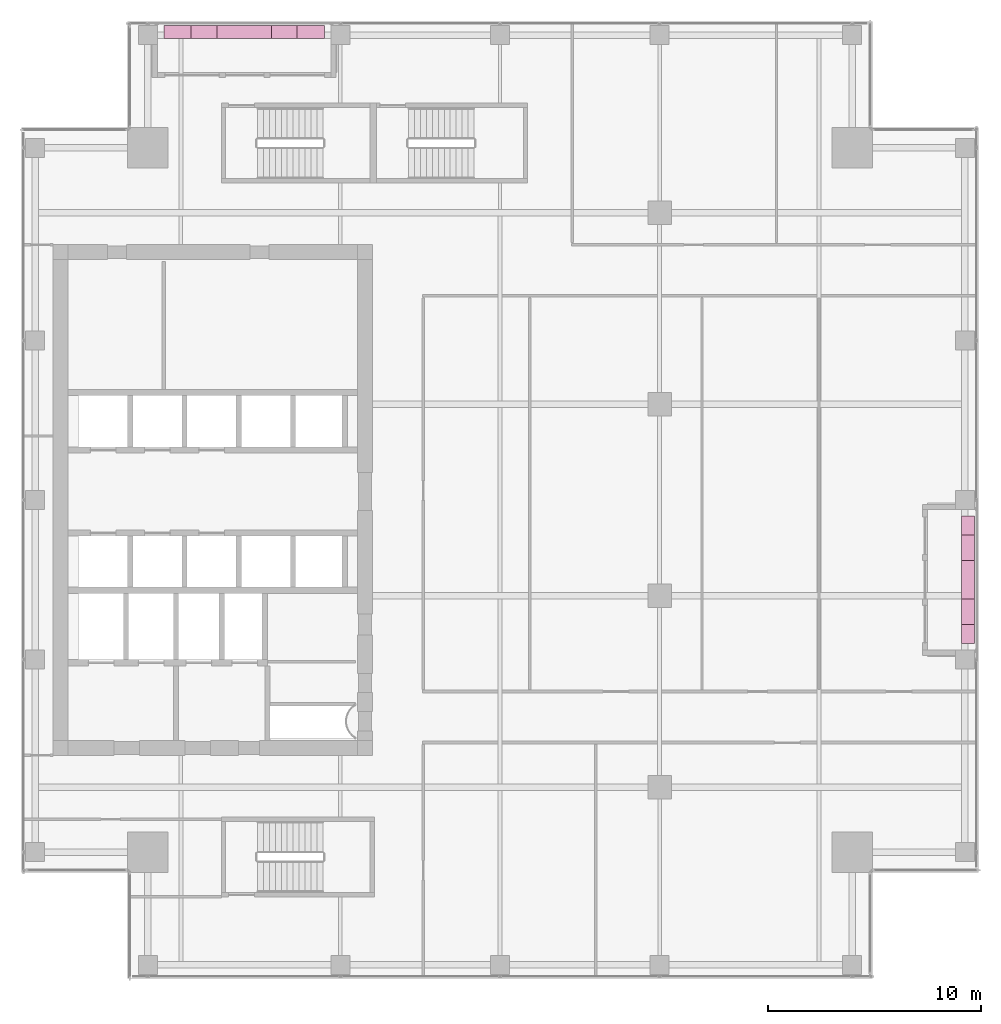
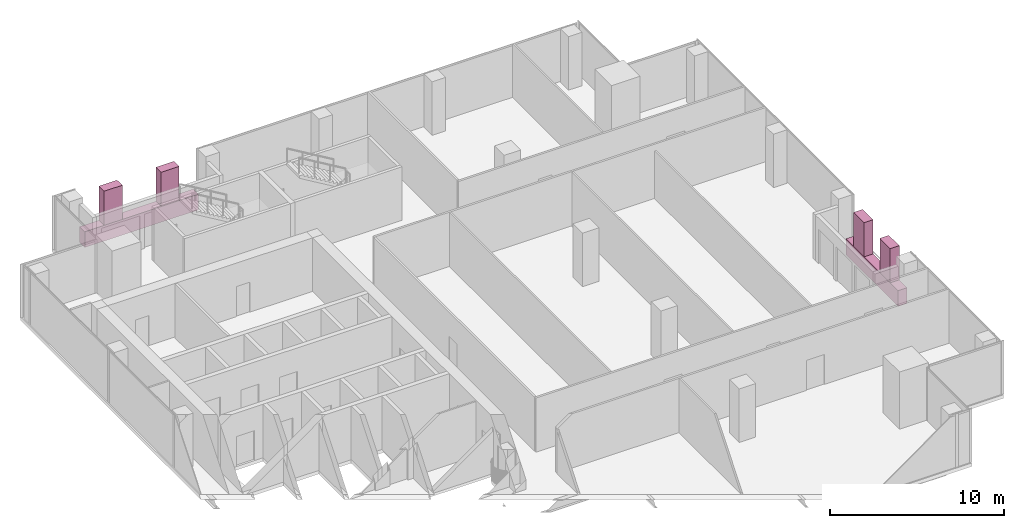
# One storey, part 35 of 35: 6 furnishings.
"""IFC4 building model written with IfcOpenShell, lengths in metres."""

from ifc_helpers import new_model, si_unit, direction, frame, origin, origin_2d, place, context, subcontext, project, spatial, rectangle, extrude, source, transform, mapped, material, type_object, element, save


model = new_model("IFC4")

# Units and contexts
model_context = context("Model", 3, precision=1e-05, world=origin(), true_north=direction((0.0, 1.0)))
body_context = subcontext(model_context, "Body", "Model", "MODEL_VIEW")
ifc_project = project(units=[si_unit("LENGTHUNIT", "METRE"), si_unit("AREAUNIT", "SQUARE_METRE"), si_unit("VOLUMEUNIT", "CUBIC_METRE"), si_unit("PLANEANGLEUNIT", "RADIAN"), si_unit("MASSUNIT", "GRAM", prefix="KILO")], contexts=[model_context])

# Site, building, storey
site_placement = place(None, origin())
site = spatial("IfcSite", under=ifc_project, at=site_placement, CompositionType="ELEMENT")
building_placement = place(site_placement, origin())
building = spatial("IfcBuilding", under=site, at=building_placement, Name="Khomas Fold Tower", CompositionType="ELEMENT")
storey_placement = place(building_placement, frame((0.0, 0.0, 262.199951171875)))
storey = spatial("IfcBuildingStorey", under=building, at=storey_placement, Name="L59", CompositionType="ELEMENT", Elevation=262.199951171875)

# Furnishings
ifc_material_1 = material(Name="Planting")
furnishing_element_type_1 = type_object("IfcFurnishingElementType", Name="BL-Tree Shepherd's tree", material=ifc_material_1)
shared_shape_1 = source(origin(), body_context, "Body", "SweptSolid", [
    extrude(rectangle(XDim=1.199951171875, YDim=0.60009765625, at=origin_2d()), origin(), (0.0, 0.0, 1.0), 2.39501953125),
])
furnishing_1_placement = place(storey_placement, frame((49.0, 21.75, 1.054931640625), z_axis=(0.0, 0.0, 1.0), x_axis=(0.0, 1.0, 0.0)))
element("IfcFurnishingElement", 1, at=furnishing_1_placement, inside=storey, type_object=furnishing_element_type_1, Name="PLANTER (TREE) Shepherd's tree BAL-L59-E2-1", context=body_context, shape_type="MappedRepresentation", body=[
    mapped(shared_shape_1, transform((0.0, 0.0, 0.0))),
])
ifc_material_2 = material(Name="Planting")
furnishing_element_type_2 = type_object("IfcFurnishingElementType", Name="BL-Tree Karee", material=ifc_material_2)
for number, where, z_axis, x_axis, name in (
    (2, (49.0, 24.75, 1.054931640625), (0.0, 0.0, 1.0), (0.0, 1.0, 0.0), "PLANTER (TREE) Karee BAL-L59-E2-2"),
    (3, (13.08740234375, 49.0, 1.054931640625), (0.0, 0.0, 1.0), (1.0, 0.0, 0.0), "PLANTER (TREE) Karee BAL-L59-N1-1"),
):
    element("IfcFurnishingElement", number, at=place(storey_placement, frame(where, z_axis=z_axis, x_axis=x_axis)), inside=storey, type_object=furnishing_element_type_2, Name=name, context=body_context, shape_type="MappedRepresentation", body=[
        mapped(shared_shape_1, transform((0.0, 0.0, 0.0))),
    ])
ifc_material_3 = material(Name="Planting")
furnishing_element_type_3 = type_object("IfcFurnishingElementType", Name="BL-Tree Wild olive", material=ifc_material_3)
furnishing_2_placement = place(storey_placement, frame((16.862548828125, 49.0, 1.054931640625), z_axis=(0.0, 0.0, 1.0), x_axis=(1.0, 0.0, 0.0)))
element("IfcFurnishingElement", 4, at=furnishing_2_placement, inside=storey, type_object=furnishing_element_type_3, Name="PLANTER (TREE) Wild olive BAL-L59-N1-2", context=body_context, shape_type="MappedRepresentation", body=[
    mapped(shared_shape_1, transform((0.0, 0.0, 0.0))),
])
ifc_material_4 = material(Name="Precast concrete C40/50", Category="concrete")
furnishing_element_type_4 = type_object("IfcFurnishingElementType", Name="BL-Structural planter box", material=ifc_material_4)
shared_shape_2 = source(origin(), body_context, "Body", "SweptSolid", [
    extrude(rectangle(XDim=7.550048828125, YDim=0.60009765625, at=origin_2d()), origin(), (0.0, 0.0, 1.0), 1.10009765625),
])
furnishing_3_placement = place(storey_placement, frame((14.97509765625, 49.0, -0.044921875), z_axis=(0.0, 0.0, 1.0), x_axis=(1.0, 0.0, 0.0)))
element("IfcFurnishingElement", 5, at=furnishing_3_placement, inside=storey, type_object=furnishing_element_type_4, Name="PLANTER BAL-L59-N1", context=body_context, shape_type="MappedRepresentation", body=[
    mapped(shared_shape_2, transform((0.0, 0.0, 0.0))),
])
shared_shape_3 = source(origin(), body_context, "Body", "SweptSolid", [
    extrude(rectangle(XDim=6.0, YDim=0.60009765625, at=origin_2d()), origin(), (0.0, 0.0, 1.0), 1.10009765625),
])
furnishing_4_placement = place(storey_placement, frame((49.0, 23.25, -0.044921875), z_axis=(0.0, 0.0, 1.0), x_axis=(0.0, 1.0, 0.0)))
element("IfcFurnishingElement", 6, at=furnishing_4_placement, inside=storey, type_object=furnishing_element_type_4, Name="PLANTER BAL-L59-E2", context=body_context, shape_type="MappedRepresentation", body=[
    mapped(shared_shape_3, transform((0.0, 0.0, 0.0))),
])

save(model, "model.ifc")
